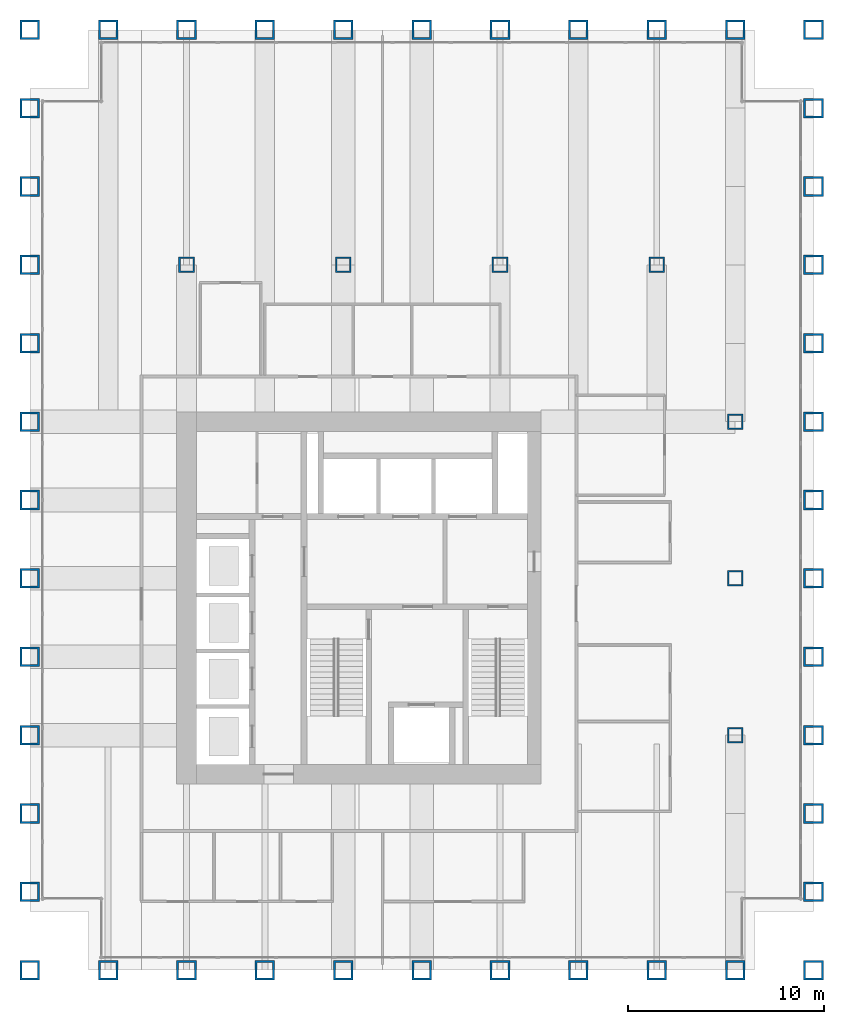
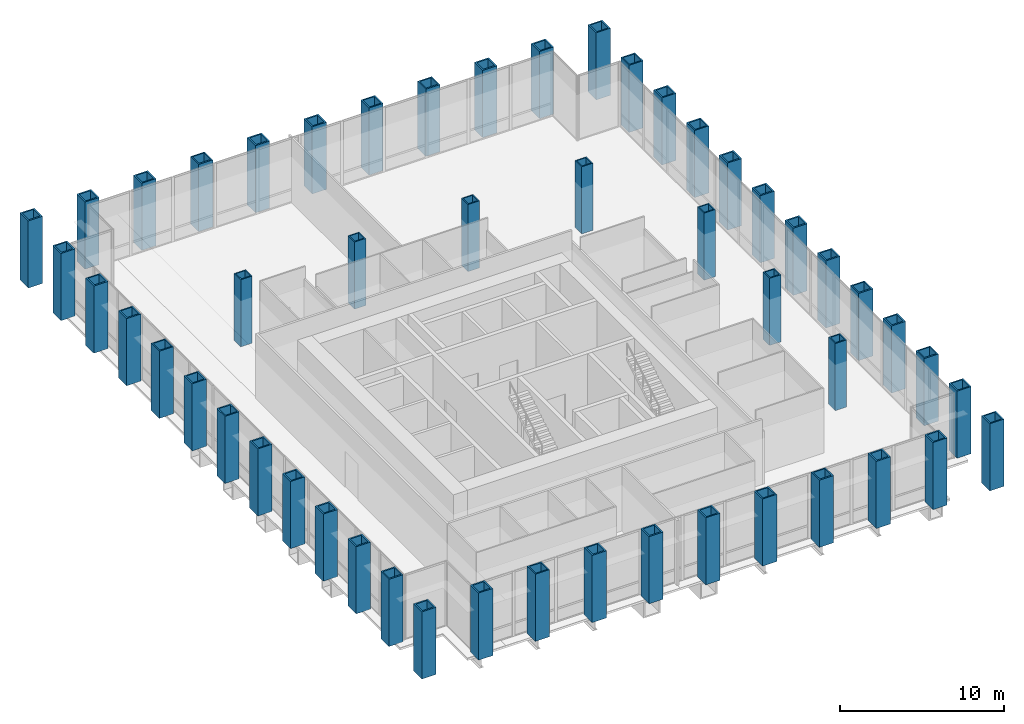
# One storey, part 1 of 13: 51 columns.
"""IFC4 building model written with IfcOpenShell, lengths in metres."""

from ifc_helpers import new_model, si_unit, direction, frame, origin, origin_2d, place, context, subcontext, project, spatial, hollow_rectangle, extrude, material, material_profile, profile_set, type_object, element, save


model = new_model("IFC4")

# Units and contexts
model_context = context("Model", 3, precision=1e-05, world=origin(), true_north=direction((0.0, 1.0)))
body_context = subcontext(model_context, "Body", "Model", "MODEL_VIEW")
ifc_project = project(units=[si_unit("LENGTHUNIT", "METRE"), si_unit("AREAUNIT", "SQUARE_METRE"), si_unit("VOLUMEUNIT", "CUBIC_METRE"), si_unit("PLANEANGLEUNIT", "RADIAN"), si_unit("MASSUNIT", "GRAM", prefix="KILO")], contexts=[model_context])

# Site, building, storey
site_placement = place(None, origin())
site = spatial("IfcSite", under=ifc_project, at=site_placement, CompositionType="ELEMENT")
building_placement = place(site_placement, origin())
building = spatial("IfcBuilding", under=site, at=building_placement, Name="Rimbunsela Tower", CompositionType="ELEMENT")
storey_placement = place(building_placement, frame((0.0, 0.0, 209.199951171875)))
storey = spatial("IfcBuildingStorey", under=building, at=storey_placement, Name="L50", CompositionType="ELEMENT", Elevation=209.199951171875)

# Columns
ifc_material_1 = material(Name="Steel BJ 55 (fy 410 MPa)", Category="steel")
ifc_material_profile_1 = material_profile(ifc_material_1, hollow_rectangle(XDim=1.0, YDim=1.0, WallThickness=0.10009765625, at=origin_2d()), Name="BOX 1000x1000x100")
ifc_profile_set_1 = profile_set([ifc_material_profile_1], Name="Steel BJ 55 (fy 410 MPa)")
column_type_1 = type_object("IfcColumnType", Name="Column BOX 1000x1000x100", PredefinedType="COLUMN", material=ifc_profile_set_1)
for number, where, z_axis, x_axis, name in (
    (1, (10.0, 8.0, 0.0), (0.0, 0.0, 1.0), (1.0, 0.0, 0.0), "Column C1 5/D L50"),
    (2, (10.0, 12.0, 0.0), (0.0, 0.0, 1.0), (1.0, 0.0, 0.0), "Column C1 5/E L50"),
    (3, (10.0, 16.0, 0.0), (0.0, 0.0, 1.0), (1.0, 0.0, 0.0), "Column C1 5/F L50"),
    (4, (10.0, 20.0, 0.0), (0.0, 0.0, 1.0), (1.0, 0.0, 0.0), "Column C1 5/G L50"),
    (5, (10.0, 24.0, 0.0), (0.0, 0.0, 1.0), (1.0, 0.0, 0.0), "Column C1 5/H L50"),
    (6, (10.0, 28.0, 0.0), (0.0, 0.0, 1.0), (1.0, 0.0, 0.0), "Column C1 5/J L50"),
    (7, (10.0, 32.0, 0.0), (0.0, 0.0, 1.0), (1.0, 0.0, 0.0), "Column C1 5/K L50"),
    (8, (10.0, 36.0, 0.0), (0.0, 0.0, 1.0), (1.0, 0.0, 0.0), "Column C1 5/L L50"),
    (9, (10.0, 40.0, 0.0), (0.0, 0.0, 1.0), (1.0, 0.0, 0.0), "Column C1 5/M L50"),
    (10, (10.0, 44.0, 0.0), (0.0, 0.0, 1.0), (1.0, 0.0, 0.0), "Column C1 5/N L50"),
    (11, (10.0, 48.0, 0.0), (0.0, 0.0, 1.0), (1.0, 0.0, 0.0), "Column C1 5/P L50"),
    (12, (10.0, 52.0, 0.0), (0.0, 0.0, 1.0), (1.0, 0.0, 0.0), "Column C1 5/Q L50"),
    (13, (10.0, 56.0, 0.0), (0.0, 0.0, 1.0), (1.0, 0.0, 0.0), "Column C1 5/R L50"),
    (14, (14.0, 8.0, 0.0), (0.0, 0.0, 1.0), (1.0, 0.0, 0.0), "Column C1 6/D L50"),
    (15, (14.0, 56.0, 0.0), (0.0, 0.0, 1.0), (1.0, 0.0, 0.0), "Column C1 6/R L50"),
    (16, (18.0, 8.0, 0.0), (0.0, 0.0, 1.0), (1.0, 0.0, 0.0), "Column C1 7/D L50"),
    (17, (18.0, 56.0, 0.0), (0.0, 0.0, 1.0), (1.0, 0.0, 0.0), "Column C1 7/R L50"),
    (18, (22.0, 8.0, 0.0), (0.0, 0.0, 1.0), (1.0, 0.0, 0.0), "Column C1 8/D L50"),
    (19, (22.0, 56.0, 0.0), (0.0, 0.0, 1.0), (1.0, 0.0, 0.0), "Column C1 8/R L50"),
    (20, (26.0, 8.0, 0.0), (0.0, 0.0, 1.0), (1.0, 0.0, 0.0), "Column C1 9/D L50"),
    (21, (26.0, 56.0, 0.0), (0.0, 0.0, 1.0), (1.0, 0.0, 0.0), "Column C1 9/R L50"),
    (22, (30.0, 8.0, 0.0), (0.0, 0.0, 1.0), (1.0, 0.0, 0.0), "Column C1 10/D L50"),
    (23, (30.0, 56.0, 0.0), (0.0, 0.0, 1.0), (1.0, 0.0, 0.0), "Column C1 10/R L50"),
    (24, (34.0, 8.0, 0.0), (0.0, 0.0, 1.0), (1.0, 0.0, 0.0), "Column C1 11/D L50"),
    (25, (34.0, 56.0, 0.0), (0.0, 0.0, 1.0), (1.0, 0.0, 0.0), "Column C1 11/R L50"),
    (26, (38.0, 8.0, 0.0), (0.0, 0.0, 1.0), (1.0, 0.0, 0.0), "Column C1 12/D L50"),
    (27, (38.0, 56.0, 0.0), (0.0, 0.0, 1.0), (1.0, 0.0, 0.0), "Column C1 12/R L50"),
    (28, (42.0, 8.0, 0.0), (0.0, 0.0, 1.0), (1.0, 0.0, 0.0), "Column C1 13/D L50"),
    (29, (42.0, 56.0, 0.0), (0.0, 0.0, 1.0), (1.0, 0.0, 0.0), "Column C1 13/R L50"),
    (30, (46.0, 8.0, 0.0), (0.0, 0.0, 1.0), (1.0, 0.0, 0.0), "Column C1 14/D L50"),
    (31, (46.0, 56.0, 0.0), (0.0, 0.0, 1.0), (1.0, 0.0, 0.0), "Column C1 14/R L50"),
    (32, (50.0, 8.0, 0.0), (0.0, 0.0, 1.0), (1.0, 0.0, 0.0), "Column C1 15/D L50"),
    (33, (50.0, 12.0, 0.0), (0.0, 0.0, 1.0), (1.0, 0.0, 0.0), "Column C1 15/E L50"),
    (34, (50.0, 16.0, 0.0), (0.0, 0.0, 1.0), (1.0, 0.0, 0.0), "Column C1 15/F L50"),
    (35, (50.0, 20.0, 0.0), (0.0, 0.0, 1.0), (1.0, 0.0, 0.0), "Column C1 15/G L50"),
    (36, (50.0, 24.0, 0.0), (0.0, 0.0, 1.0), (1.0, 0.0, 0.0), "Column C1 15/H L50"),
    (37, (50.0, 28.0, 0.0), (0.0, 0.0, 1.0), (1.0, 0.0, 0.0), "Column C1 15/J L50"),
    (38, (50.0, 32.0, 0.0), (0.0, 0.0, 1.0), (1.0, 0.0, 0.0), "Column C1 15/K L50"),
    (39, (50.0, 36.0, 0.0), (0.0, 0.0, 1.0), (1.0, 0.0, 0.0), "Column C1 15/L L50"),
    (40, (50.0, 40.0, 0.0), (0.0, 0.0, 1.0), (1.0, 0.0, 0.0), "Column C1 15/M L50"),
    (41, (50.0, 44.0, 0.0), (0.0, 0.0, 1.0), (1.0, 0.0, 0.0), "Column C1 15/N L50"),
    (42, (50.0, 48.0, 0.0), (0.0, 0.0, 1.0), (1.0, 0.0, 0.0), "Column C1 15/P L50"),
    (43, (50.0, 52.0, 0.0), (0.0, 0.0, 1.0), (1.0, 0.0, 0.0), "Column C1 15/Q L50"),
    (44, (50.0, 56.0, 0.0), (0.0, 0.0, 1.0), (1.0, 0.0, 0.0), "Column C1 15/R L50"),
):
    element("IfcColumn", number, at=place(storey_placement, frame(where, z_axis=z_axis, x_axis=x_axis)), inside=storey, type_object=column_type_1, Name=name, PredefinedType="COLUMN", context=body_context, shape_type="SweptSolid", body=[
        extrude(hollow_rectangle(XDim=1.0, YDim=1.0, WallThickness=0.10009765625, at=origin_2d()), origin(), (0.0, 0.0, 1.0), 5.0),
    ])
ifc_material_2 = material(Name="Steel BJ 55 (fy 410 MPa)", Category="steel")
ifc_material_profile_2 = material_profile(ifc_material_2, hollow_rectangle(XDim=0.800048828125, YDim=0.800048828125, WallThickness=0.080078125, at=origin_2d()), Name="BOX 800x800x80")
ifc_profile_set_2 = profile_set([ifc_material_profile_2], Name="Steel BJ 55 (fy 410 MPa)")
column_type_2 = type_object("IfcColumnType", Name="Column BOX 800x800x80", PredefinedType="COLUMN", material=ifc_profile_set_2)
for number, where, z_axis, x_axis, name in (
    (45, (18.0, 44.0, 0.0), (0.0, 0.0, 1.0), (1.0, 0.0, 0.0), "Column C2 7/N L50"),
    (46, (26.0, 44.0, 0.0), (0.0, 0.0, 1.0), (1.0, 0.0, 0.0), "Column C2 9/N L50"),
    (47, (34.0, 44.0, 0.0), (0.0, 0.0, 1.0), (1.0, 0.0, 0.0), "Column C2 11/N L50"),
    (48, (42.0, 44.0, 0.0), (0.0, 0.0, 1.0), (1.0, 0.0, 0.0), "Column C2 13/N L50"),
    (49, (46.0, 20.0, 0.0), (0.0, 0.0, 1.0), (1.0, 0.0, 0.0), "Column C2 14/G L50"),
    (50, (46.0, 28.0, 0.0), (0.0, 0.0, 1.0), (1.0, 0.0, 0.0), "Column C2 14/J L50"),
    (51, (46.0, 36.0, 0.0), (0.0, 0.0, 1.0), (1.0, 0.0, 0.0), "Column C2 14/L L50"),
):
    element("IfcColumn", number, at=place(storey_placement, frame(where, z_axis=z_axis, x_axis=x_axis)), inside=storey, type_object=column_type_2, Name=name, PredefinedType="COLUMN", context=body_context, shape_type="SweptSolid", body=[
        extrude(hollow_rectangle(XDim=0.800048828125, YDim=0.800048828125, WallThickness=0.080078125, at=origin_2d()), origin(), (0.0, 0.0, 1.0), 5.0),
    ])

save(model, "model.ifc")
